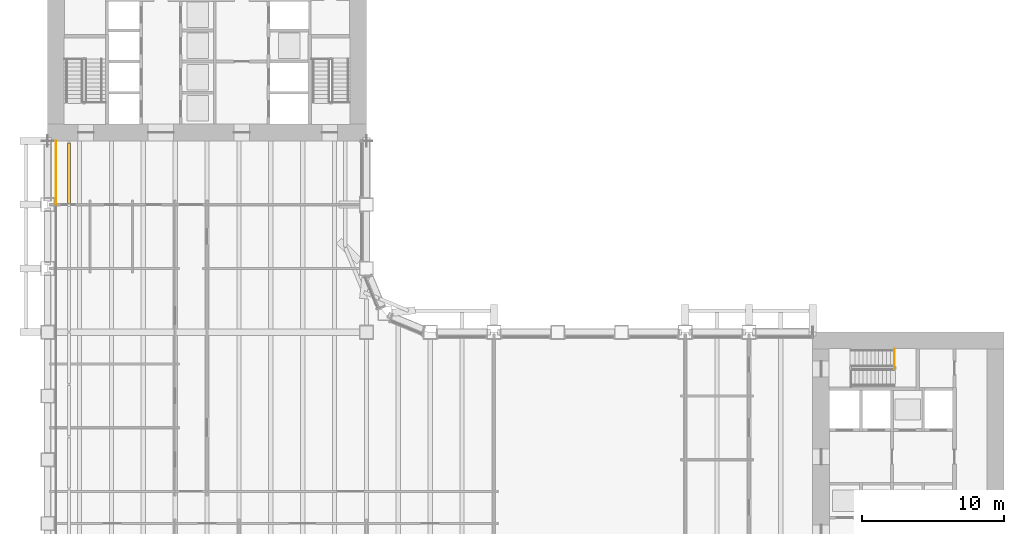
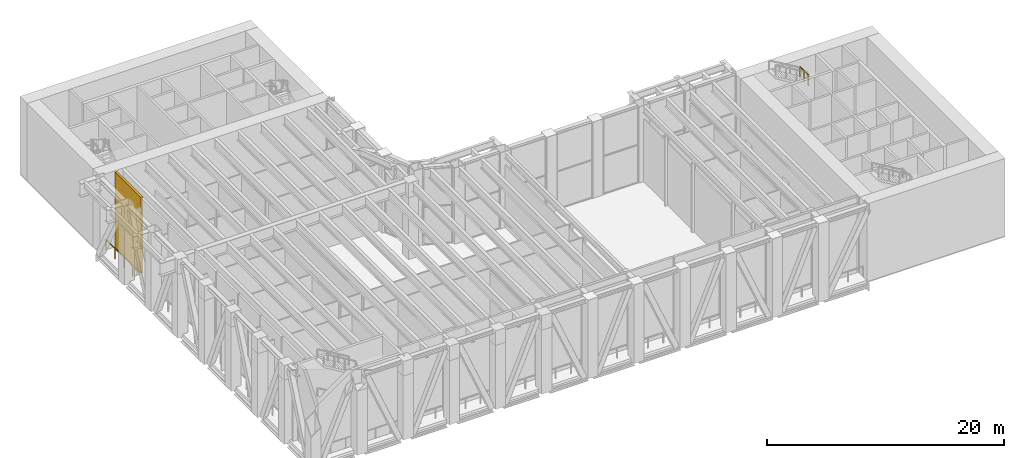
# One storey, part 19 of 21: 2 railings, 1 shading device.
"""IFC4 building model written with IfcOpenShell, lengths in metres."""

from ifc_helpers import new_model, si_unit, direction, frame, origin, origin_2d, place, context, subcontext, project, spatial, rectangle, extrude, material, layer, layer_set, type_object, element, save


model = new_model("IFC4")

# Units and contexts
model_context = context("Model", 3, precision=1e-05, world=origin(), true_north=direction((0.0, 1.0)))
body_context = subcontext(model_context, "Body", "Model", "MODEL_VIEW")
ifc_project = project(units=[si_unit("LENGTHUNIT", "METRE"), si_unit("AREAUNIT", "SQUARE_METRE"), si_unit("VOLUMEUNIT", "CUBIC_METRE"), si_unit("PLANEANGLEUNIT", "RADIAN"), si_unit("MASSUNIT", "GRAM", prefix="KILO")], contexts=[model_context])

# Site, building, storey
site_placement = place(None, origin())
site = spatial("IfcSite", under=ifc_project, at=site_placement, CompositionType="ELEMENT")
building_placement = place(site_placement, origin())
building = spatial("IfcBuilding", under=site, at=building_placement, Name="Sennacour Bend Tower", CompositionType="ELEMENT")
storey_placement = place(building_placement, frame((0.0, 0.0, 131.0)))
storey = spatial("IfcBuildingStorey", under=building, at=storey_placement, Name="L30", CompositionType="ELEMENT", Elevation=131.0)

# Railing
ifc_material_1 = material(Name="Stainless steel 316", Category="steel")
railing_type_1 = type_object("IfcRailingType", Name="GUARD 1100", PredefinedType="GUARDRAIL", material=ifc_material_1)
railing_1_placement = place(storey_placement, frame((0.60009765625, 31.499267578125, 0.0)))
element("IfcRailing", 1, at=railing_1_placement, inside=storey, type_object=railing_type_1, Name="Guard L30", PredefinedType="GUARDRAIL", context=body_context, shape_type="SweptSolid", body=[
    extrude(rectangle(XDim=0.048095703125, YDim=0.048095703125, at=origin_2d()), frame((0.0, 0.0, 1.076171875), z_axis=(0.0, 1.0, 0.0), x_axis=(-1.0, 0.0, 0.0)), (0.0, 0.0, 1.0), 4.499755859375),
    extrude(rectangle(XDim=0.0419921875, YDim=0.0419921875, at=origin_2d()), origin(), (0.0, 0.0, 1.0), 1.052001953125),
    extrude(rectangle(XDim=0.0419921875, YDim=0.0419921875, at=origin_2d()), frame((0.0, 1.5, 0.0)), (0.0, 0.0, 1.0), 1.052001953125),
    extrude(rectangle(XDim=0.0419921875, YDim=0.0419921875, at=origin_2d()), frame((0.0, 2.999755859375, 0.0)), (0.0, 0.0, 1.0), 1.052001953125),
    extrude(rectangle(XDim=0.0419921875, YDim=0.0419921875, at=origin_2d()), frame((0.0, 4.499755859375, 0.0)), (0.0, 0.0, 1.0), 1.052001953125),
])

# Shading device
ifc_material_2 = material(Name="Dark bronze anodised aluminium louvre", Category="aluminium")
ifc_layer = layer(ifc_material_2, 0.199951171875, Name="Dark bronze anodised aluminium louvre", Category="aluminium")
ifc_layer_set = layer_set([ifc_layer], Name="Dark bronze anodised aluminium louvre")
shading_device_type = type_object("IfcShadingDeviceType", Name="LOUVRE BANK 200", PredefinedType="USERDEFINED", material=ifc_layer_set)
shading_device_placement = place(storey_placement, frame((1.5, 33.686767578125, 0.0), z_axis=(0.0, 0.0, 1.0), x_axis=(0.0, 1.0, 0.0)))
element("IfcShadingDevice", 2, at=shading_device_placement, inside=storey, type_object=shading_device_type, Name="Louvre bank L30", ObjectType="LOUVRE", PredefinedType="USERDEFINED", context=body_context, shape_type="SweptSolid", body=[
    extrude(rectangle(XDim=4.334716796875, YDim=0.199951171875, at=origin_2d()), origin(), (0.0, 0.0, 1.0), 7.85009765625),
])

# Railing
ifc_material_3 = material(Name="Stainless steel", Category="steel")
railing_type_2 = type_object("IfcRailingType", Name="RL-GUARD-1100", PredefinedType="GUARDRAIL", material=ifc_material_3)
railing_2_placement = place(storey_placement, frame((59.780029296875, 19.89990234375, 6.0)))
element("IfcRailing", 3, at=railing_2_placement, inside=storey, type_object=railing_type_2, Name="L30 SA2 landing edge guard 45", PredefinedType="GUARDRAIL", context=body_context, shape_type="SweptSolid", body=[
    extrude(rectangle(XDim=0.048095703125, YDim=0.048095703125, at=origin_2d()), frame((0.0, 0.0, 1.076171875), z_axis=(0.0, 1.0, 0.0), x_axis=(-1.0, 0.0, 0.0)), (0.0, 0.0, 1.0), 1.400146484375),
    extrude(rectangle(XDim=0.0419921875, YDim=0.0419921875, at=origin_2d()), origin(), (0.0, 0.0, 1.0), 1.052001953125),
    extrude(rectangle(XDim=0.0419921875, YDim=0.0419921875, at=origin_2d()), frame((0.0, 0.7001953125, 0.0)), (0.0, 0.0, 1.0), 1.052001953125),
    extrude(rectangle(XDim=0.0419921875, YDim=0.0419921875, at=origin_2d()), frame((0.0, 1.400146484375, 0.0)), (0.0, 0.0, 1.0), 1.052001953125),
])

save(model, "model.ifc")
